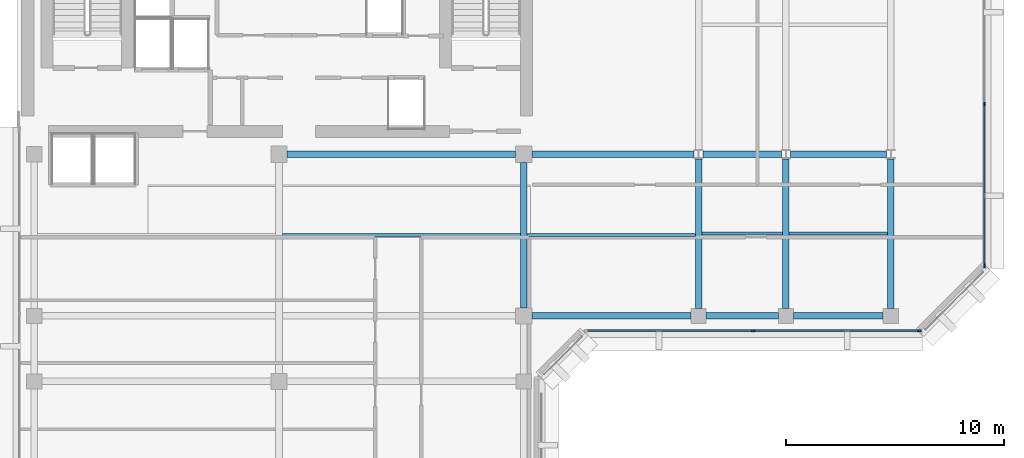
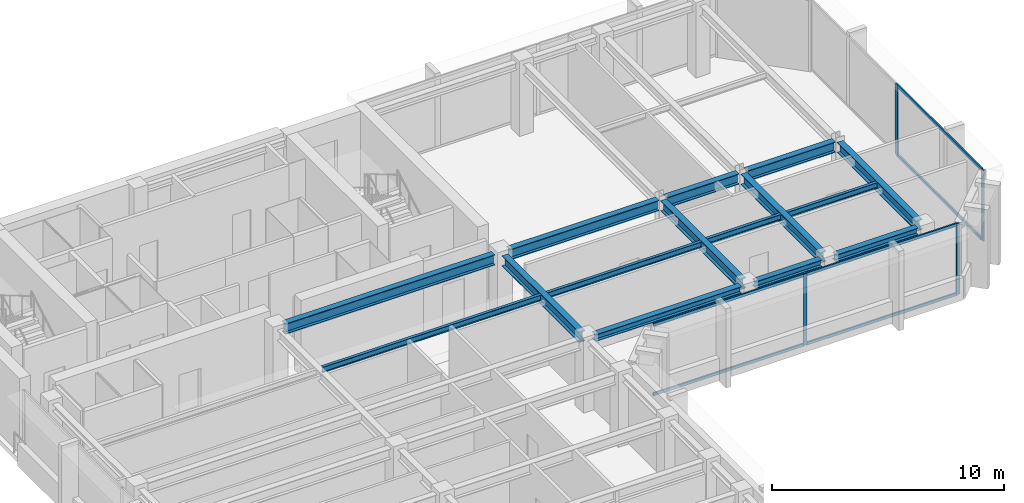
# One storey, part 3 of 11: 15 beams, 10 members, 2 elements without a shape of their own.
"""IFC4 building model written with IfcOpenShell, lengths in metres."""

from ifc_helpers import new_model, si_unit, direction, frame, origin, origin_2d, place, context, subcontext, project, spatial, rectangle, i_section, extrude, material, layer, layer_set, material_profile, profile_set, type_object, element, aggregate, save


model = new_model("IFC4")

# Units and contexts
model_context = context("Model", 3, precision=1e-05, world=origin(), true_north=direction((0.0, 1.0)))
body_context = subcontext(model_context, "Body", "Model", "MODEL_VIEW")
ifc_project = project(units=[si_unit("LENGTHUNIT", "METRE"), si_unit("AREAUNIT", "SQUARE_METRE"), si_unit("VOLUMEUNIT", "CUBIC_METRE"), si_unit("PLANEANGLEUNIT", "RADIAN"), si_unit("MASSUNIT", "GRAM", prefix="KILO")], contexts=[model_context])

# Site, building, storey
site_placement = place(None, origin())
site = spatial("IfcSite", under=ifc_project, at=site_placement, CompositionType="ELEMENT")
building_placement = place(site_placement, origin())
building = spatial("IfcBuilding", under=site, at=building_placement, Name="Kefirva Bronze Tower", CompositionType="ELEMENT")
storey_placement = place(building_placement, frame((0.0, 0.0, 276.2099609375)))
storey = spatial("IfcBuildingStorey", under=building, at=storey_placement, Name="L67", CompositionType="ELEMENT", Elevation=276.2099609375)

# Curtain wall, members
ifc_material_1 = material(Name="Bronze anodised aluminium", Category="aluminium")
ifc_layer = layer(ifc_material_1, 0.179931640625, Name="Bronze anodised aluminium")
ifc_layer_set = layer_set([ifc_layer], Name="Bronze anodised aluminium")
curtain_wall_type = type_object("IfcCurtainWallType", Name="Unitised Bronze Ribbon Curtain Wall Zone 4", PredefinedType="USERDEFINED", material=ifc_layer_set)
curtain_wall_1_placement = place(storey_placement, origin())
curtain_wall_1 = element("IfcCurtainWall", 1, at=curtain_wall_1_placement, inside=storey, type_object=curtain_wall_type, Name="L67 Curtain Wall 2", ObjectType="UNITISED CURTAIN WALL", PredefinedType="USERDEFINED")
ifc_material_profile_1 = material_profile(ifc_material_1, rectangle(XDim=0.074951171875, YDim=0.179931640625, at=origin_2d()), Name="ALU 75x180")
ifc_profile_set_1 = profile_set([ifc_material_profile_1], Name="Bronze anodised aluminium")
member_type_1 = type_object("IfcMemberType", Name="Bronze Mullion 75x180", PredefinedType="MULLION", material=ifc_profile_set_1)
member_1_placement = place(storey_placement, frame((33.699951171875, 25.1201171875, 0.0), z_axis=(0.0, 0.0, 1.0), x_axis=(0.0, 1.0, 0.0)))
member_1 = element("IfcMember", 2, at=member_1_placement, type_object=member_type_1, Name="CW-04 mullion 2", PredefinedType="MULLION", context=body_context, shape_type="SweptSolid", body=[
    extrude(rectangle(XDim=0.074951171875, YDim=0.179931640625, at=origin_2d()), origin(), (0.0, 0.0, 1.0), 3.739990234375),
])
member_2_placement = place(storey_placement, frame((41.3076171875, 25.1201171875, 0.0), z_axis=(0.0, 0.0, 1.0), x_axis=(0.0, 1.0, 0.0)))
member_2 = element("IfcMember", 3, at=member_2_placement, type_object=member_type_1, Name="CW-04 mullion 3", PredefinedType="MULLION", context=body_context, shape_type="SweptSolid", body=[
    extrude(rectangle(XDim=0.074951171875, YDim=0.179931640625, at=origin_2d()), origin(), (0.0, 0.0, 1.0), 3.739990234375),
])

curtain_wall_2_placement = place(storey_placement, origin())
curtain_wall_2 = element("IfcCurtainWall", 4, at=curtain_wall_2_placement, inside=storey, type_object=curtain_wall_type, Name="L67 Curtain Wall 3", ObjectType="UNITISED CURTAIN WALL", PredefinedType="USERDEFINED")
member_3_placement = place(storey_placement, frame((44.280029296875, 28.092529296875, 0.0), z_axis=(0.0, 0.0, 1.0), x_axis=(-1.0, 0.0, 0.0)))
member_3 = element("IfcMember", 5, at=member_3_placement, type_object=member_type_1, Name="CW-04 mullion 1", PredefinedType="MULLION", context=body_context, shape_type="SweptSolid", body=[
    extrude(rectangle(XDim=0.074951171875, YDim=0.179931640625, at=origin_2d()), origin(), (0.0, 0.0, 1.0), 3.739990234375),
])
member_4_placement = place(storey_placement, frame((44.280029296875, 35.5, 0.0), z_axis=(0.0, 0.0, 1.0), x_axis=(-1.0, 0.0, 0.0)))
member_4 = element("IfcMember", 6, at=member_4_placement, type_object=member_type_1, Name="CW-04 mullion 2", PredefinedType="MULLION", context=body_context, shape_type="SweptSolid", body=[
    extrude(rectangle(XDim=0.074951171875, YDim=0.179931640625, at=origin_2d()), origin(), (0.0, 0.0, 1.0), 3.739990234375),
])

# Member
ifc_material_profile_2 = material_profile(ifc_material_1, rectangle(XDim=0.074951171875, YDim=0.14990234375, at=origin_2d()), Name="ALU 75x150")
ifc_profile_set_2 = profile_set([ifc_material_profile_2], Name="Bronze anodised aluminium")
member_type_2 = type_object("IfcMemberType", Name="Bronze Transom 75x150", PredefinedType="USERDEFINED", material=ifc_profile_set_2)
member_5_placement = place(storey_placement, frame((26.1298828125, 25.1201171875, 0.03759765625), z_axis=(1.0, 0.0, 0.0), x_axis=(0.0, 1.0, 0.0)))
member_5 = element("IfcMember", 7, at=member_5_placement, type_object=member_type_2, Name="CW-04 transom 1.1", ObjectType="TRANSOM", PredefinedType="USERDEFINED", context=body_context, shape_type="SweptSolid", body=[
    extrude(rectangle(XDim=0.074951171875, YDim=0.14990234375, at=origin_2d()), origin(), (0.0, 0.0, 1.0), 7.53271484375),
])

member_6_placement = place(storey_placement, frame((26.1298828125, 25.1201171875, 3.70263671875), z_axis=(1.0, 0.0, 0.0), x_axis=(0.0, 1.0, 0.0)))
member_6 = element("IfcMember", 8, at=member_6_placement, type_object=member_type_2, Name="CW-04 transom 1.2", ObjectType="TRANSOM", PredefinedType="USERDEFINED", context=body_context, shape_type="SweptSolid", body=[
    extrude(rectangle(XDim=0.074951171875, YDim=0.14990234375, at=origin_2d()), origin(), (0.0, 0.0, 1.0), 7.53271484375),
])

member_7_placement = place(storey_placement, frame((33.737548828125, 25.1201171875, 0.03759765625), z_axis=(1.0, 0.0, 0.0), x_axis=(0.0, 1.0, 0.0)))
member_7 = element("IfcMember", 9, at=member_7_placement, type_object=member_type_2, Name="CW-04 transom 2.1", ObjectType="TRANSOM", PredefinedType="USERDEFINED", context=body_context, shape_type="SweptSolid", body=[
    extrude(rectangle(XDim=0.074951171875, YDim=0.14990234375, at=origin_2d()), origin(), (0.0, 0.0, 1.0), 7.532470703125),
])

member_8_placement = place(storey_placement, frame((33.737548828125, 25.1201171875, 3.70263671875), z_axis=(1.0, 0.0, 0.0), x_axis=(0.0, 1.0, 0.0)))
member_8 = element("IfcMember", 10, at=member_8_placement, type_object=member_type_2, Name="CW-04 transom 2.2", ObjectType="TRANSOM", PredefinedType="USERDEFINED", context=body_context, shape_type="SweptSolid", body=[
    extrude(rectangle(XDim=0.074951171875, YDim=0.14990234375, at=origin_2d()), origin(), (0.0, 0.0, 1.0), 7.532470703125),
])

aggregate(curtain_wall_1, [member_1, member_2, member_5, member_6, member_7, member_8])

member_9_placement = place(storey_placement, frame((44.280029296875, 28.1298828125, 0.03759765625), z_axis=(0.0, 1.0, 0.0), x_axis=(-1.0, 0.0, 0.0)))
member_9 = element("IfcMember", 11, at=member_9_placement, type_object=member_type_2, Name="CW-04 transom 1.1", ObjectType="TRANSOM", PredefinedType="USERDEFINED", context=body_context, shape_type="SweptSolid", body=[
    extrude(rectangle(XDim=0.074951171875, YDim=0.14990234375, at=origin_2d()), origin(), (0.0, 0.0, 1.0), 7.33251953125),
])

member_10_placement = place(storey_placement, frame((44.280029296875, 28.1298828125, 3.70263671875), z_axis=(0.0, 1.0, 0.0), x_axis=(-1.0, 0.0, 0.0)))
member_10 = element("IfcMember", 12, at=member_10_placement, type_object=member_type_2, Name="CW-04 transom 1.2", ObjectType="TRANSOM", PredefinedType="USERDEFINED", context=body_context, shape_type="SweptSolid", body=[
    extrude(rectangle(XDim=0.074951171875, YDim=0.14990234375, at=origin_2d()), origin(), (0.0, 0.0, 1.0), 7.33251953125),
])

aggregate(curtain_wall_2, [member_3, member_4, member_9, member_10])

# Beams
ifc_material_2 = material(Name="Steel S355", Category="steel")
ifc_material_profile_3 = material_profile(ifc_material_2, i_section(OverallWidth=0.14990234375, OverallDepth=0.300048828125, WebThickness=0.007080078125, FlangeThickness=0.0107421875, at=origin_2d()), Name="IPE 300")
ifc_profile_set_3 = profile_set([ifc_material_profile_3], Name="Steel S355")
beam_type_1 = type_object("IfcBeamType", Name="Steel Floor Joist IPE 300", PredefinedType="JOIST", material=ifc_profile_set_3)
beam_1_placement = place(storey_placement, frame((12.14990234375, 29.5, 3.590087890625), z_axis=(1.0, 0.0, 0.0), x_axis=(0.0, 1.0, 0.0)))
element("IfcBeam", 13, at=beam_1_placement, inside=storey, type_object=beam_type_1, Name="L67 JST-L67-12-295", PredefinedType="JOIST", context=body_context, shape_type="SweptSolid", body=[
    extrude(i_section(OverallWidth=0.14990234375, OverallDepth=0.300048828125, WebThickness=0.007080078125, FlangeThickness=0.0107421875, at=origin_2d()), origin(), (0.0, 0.0, 1.0), 10.900146484375),
])
beam_2_placement = place(storey_placement, frame((23.35009765625, 29.5, 3.590087890625), z_axis=(1.0, 0.0, 0.0), x_axis=(0.0, 1.0, 0.0)))
element("IfcBeam", 14, at=beam_2_placement, inside=storey, type_object=beam_type_1, Name="L67 JST-L67-23-295", PredefinedType="JOIST", context=body_context, shape_type="SweptSolid", body=[
    extrude(i_section(OverallWidth=0.14990234375, OverallDepth=0.300048828125, WebThickness=0.007080078125, FlangeThickness=0.0107421875, at=origin_2d()), origin(), (0.0, 0.0, 1.0), 7.699951171875),
])
beam_3_placement = place(storey_placement, frame((31.35009765625, 29.571044921875, 3.590087890625), z_axis=(1.0, 0.0, 0.0), x_axis=(0.0, 1.0, 0.0)))
element("IfcBeam", 15, at=beam_3_placement, inside=storey, type_object=beam_type_1, Name="L67 JST-L67-31-295", PredefinedType="JOIST", context=body_context, shape_type="SweptSolid", body=[
    extrude(i_section(OverallWidth=0.14990234375, OverallDepth=0.300048828125, WebThickness=0.007080078125, FlangeThickness=0.0107421875, at=origin_2d()), origin(), (0.0, 0.0, 1.0), 3.699951171875),
])
beam_4_placement = place(storey_placement, frame((35.35009765625, 29.571044921875, 3.590087890625), z_axis=(1.0, 0.0, 0.0), x_axis=(0.0, 1.0, 0.0)))
element("IfcBeam", 16, at=beam_4_placement, inside=storey, type_object=beam_type_1, Name="L67 JST-L67-35-295", PredefinedType="JOIST", context=body_context, shape_type="SweptSolid", body=[
    extrude(i_section(OverallWidth=0.14990234375, OverallDepth=0.300048828125, WebThickness=0.007080078125, FlangeThickness=0.0107421875, at=origin_2d()), origin(), (0.0, 0.0, 1.0), 4.5),
])
ifc_material_profile_4 = material_profile(ifc_material_2, i_section(OverallWidth=0.300048828125, OverallDepth=0.550048828125, WebThickness=0.014892578125, FlangeThickness=0.029052734375, at=origin_2d()), Name="HEB 550")
ifc_profile_set_4 = profile_set([ifc_material_profile_4], Name="Steel S355")
beam_type_2 = type_object("IfcBeamType", Name="Steel Girder HEB 550", PredefinedType="USERDEFINED", material=ifc_profile_set_4)
beam_5_placement = place(storey_placement, frame((12.3701171875, 33.199951171875, 3.465087890625), z_axis=(1.0, 0.0, 0.0), x_axis=(0.0, 1.0, 0.0)))
element("IfcBeam", 17, at=beam_5_placement, inside=storey, type_object=beam_type_2, Name="L67 BM-L67-EW-12-332", ObjectType="GIRDER", PredefinedType="USERDEFINED", context=body_context, shape_type="SweptSolid", body=[
    extrude(i_section(OverallWidth=0.300048828125, OverallDepth=0.550048828125, WebThickness=0.014892578125, FlangeThickness=0.029052734375, at=origin_2d()), origin(), (0.0, 0.0, 1.0), 10.4599609375),
])
beam_6_placement = place(storey_placement, frame((23.570068359375, 33.199951171875, 3.465087890625), z_axis=(1.0, 0.0, 0.0), x_axis=(0.0, 1.0, 0.0)))
element("IfcBeam", 18, at=beam_6_placement, inside=storey, type_object=beam_type_2, Name="L67 BM-L67-EW-23-332", ObjectType="GIRDER", PredefinedType="USERDEFINED", context=body_context, shape_type="SweptSolid", body=[
    extrude(i_section(OverallWidth=0.300048828125, OverallDepth=0.550048828125, WebThickness=0.014892578125, FlangeThickness=0.029052734375, at=origin_2d()), origin(), (0.0, 0.0, 1.0), 7.427001953125),
])
beam_7_placement = place(storey_placement, frame((31.403076171875, 33.199951171875, 3.465087890625), z_axis=(1.0, 0.0, 0.0), x_axis=(0.0, 1.0, 0.0)))
element("IfcBeam", 19, at=beam_7_placement, inside=storey, type_object=beam_type_2, Name="L67 BM-L67-EW-31-332", ObjectType="GIRDER", PredefinedType="USERDEFINED", context=body_context, shape_type="SweptSolid", body=[
    extrude(i_section(OverallWidth=0.300048828125, OverallDepth=0.550048828125, WebThickness=0.014892578125, FlangeThickness=0.029052734375, at=origin_2d()), origin(), (0.0, 0.0, 1.0), 3.593994140625),
])
beam_8_placement = place(storey_placement, frame((35.403076171875, 33.199951171875, 3.465087890625), z_axis=(1.0, 0.0, 0.0), x_axis=(0.0, 1.0, 0.0)))
element("IfcBeam", 20, at=beam_8_placement, inside=storey, type_object=beam_type_2, Name="L67 BM-L67-EW-35-332", ObjectType="GIRDER", PredefinedType="USERDEFINED", context=body_context, shape_type="SweptSolid", body=[
    extrude(i_section(OverallWidth=0.300048828125, OverallDepth=0.550048828125, WebThickness=0.014892578125, FlangeThickness=0.029052734375, at=origin_2d()), origin(), (0.0, 0.0, 1.0), 4.39404296875),
])
beam_9_placement = place(storey_placement, frame((23.199951171875, 26.169921875, 3.465087890625), z_axis=(0.0, 1.0, 0.0), x_axis=(-1.0, 0.0, 0.0)))
element("IfcBeam", 21, at=beam_9_placement, inside=storey, type_object=beam_type_2, Name="L67 BM-L67-NS-232-25", ObjectType="GIRDER", PredefinedType="USERDEFINED", context=body_context, shape_type="SweptSolid", body=[
    extrude(i_section(OverallWidth=0.300048828125, OverallDepth=0.550048828125, WebThickness=0.014892578125, FlangeThickness=0.029052734375, at=origin_2d()), origin(), (0.0, 0.0, 1.0), 6.66015625),
])
for number, where, z_axis, x_axis, name in (
    (22, (31.199951171875, 26.14990234375, 3.465087890625), (0.0, 1.0, 0.0), (-1.0, 0.0, 0.0), "L67 BM-L67-NS-312-25"),
    (23, (35.199951171875, 26.14990234375, 3.465087890625), (0.0, 1.0, 0.0), (-1.0, 0.0, 0.0), "L67 BM-L67-NS-352-25"),
    (24, (40.0, 26.14990234375, 3.465087890625), (0.0, 1.0, 0.0), (-1.0, 0.0, 0.0), "L67 BM-L67-NS-400-25"),
):
    element("IfcBeam", number, at=place(storey_placement, frame(where, z_axis=z_axis, x_axis=x_axis)), inside=storey, type_object=beam_type_2, Name=name, ObjectType="GIRDER", PredefinedType="USERDEFINED", context=body_context, shape_type="SweptSolid", body=[
        extrude(i_section(OverallWidth=0.300048828125, OverallDepth=0.550048828125, WebThickness=0.014892578125, FlangeThickness=0.029052734375, at=origin_2d()), origin(), (0.0, 0.0, 1.0), 6.842041015625),
    ])
ifc_material_profile_5 = material_profile(ifc_material_2, i_section(OverallWidth=0.300048828125, OverallDepth=0.360107421875, WebThickness=0.012451171875, FlangeThickness=0.0224609375, at=origin_2d()), Name="HEB 360")
ifc_profile_set_5 = profile_set([ifc_material_profile_5], Name="Steel S355")
beam_type_3 = type_object("IfcBeamType", Name="Steel Spandrel HEB 360 Ext", PredefinedType="SPANDREL", material=ifc_profile_set_5)
beam_10_placement = place(storey_placement, frame((23.570068359375, 25.800048828125, 3.56005859375), z_axis=(1.0, 0.0, 0.0), x_axis=(0.0, 1.0, 0.0)))
element("IfcBeam", 25, at=beam_10_placement, inside=storey, type_object=beam_type_3, Name="L67 BM-L67-EW-23-258", PredefinedType="SPANDREL", context=body_context, shape_type="SweptSolid", body=[
    extrude(i_section(OverallWidth=0.300048828125, OverallDepth=0.360107421875, WebThickness=0.012451171875, FlangeThickness=0.0224609375, at=origin_2d()), origin(), (0.0, 0.0, 1.0), 7.280029296875),
])
beam_11_placement = place(storey_placement, frame((31.550048828125, 25.800048828125, 3.56005859375), z_axis=(1.0, 0.0, 0.0), x_axis=(0.0, 1.0, 0.0)))
element("IfcBeam", 26, at=beam_11_placement, inside=storey, type_object=beam_type_3, Name="L67 BM-L67-EW-31-258", PredefinedType="SPANDREL", context=body_context, shape_type="SweptSolid", body=[
    extrude(i_section(OverallWidth=0.300048828125, OverallDepth=0.360107421875, WebThickness=0.012451171875, FlangeThickness=0.0224609375, at=origin_2d()), origin(), (0.0, 0.0, 1.0), 3.300048828125),
])
beam_12_placement = place(storey_placement, frame((35.550048828125, 25.800048828125, 3.56005859375), z_axis=(1.0, 0.0, 0.0), x_axis=(0.0, 1.0, 0.0)))
element("IfcBeam", 27, at=beam_12_placement, inside=storey, type_object=beam_type_3, Name="L67 BM-L67-EW-35-258", PredefinedType="SPANDREL", context=body_context, shape_type="SweptSolid", body=[
    extrude(i_section(OverallWidth=0.300048828125, OverallDepth=0.360107421875, WebThickness=0.012451171875, FlangeThickness=0.0224609375, at=origin_2d()), origin(), (0.0, 0.0, 1.0), 4.099853515625),
])

save(model, "model.ifc")
